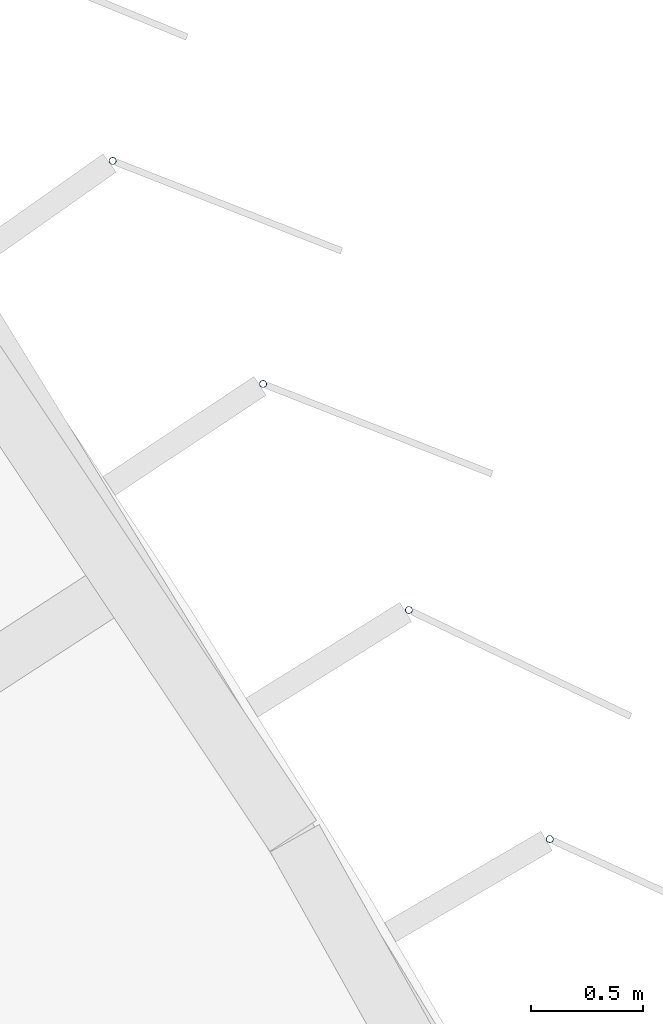
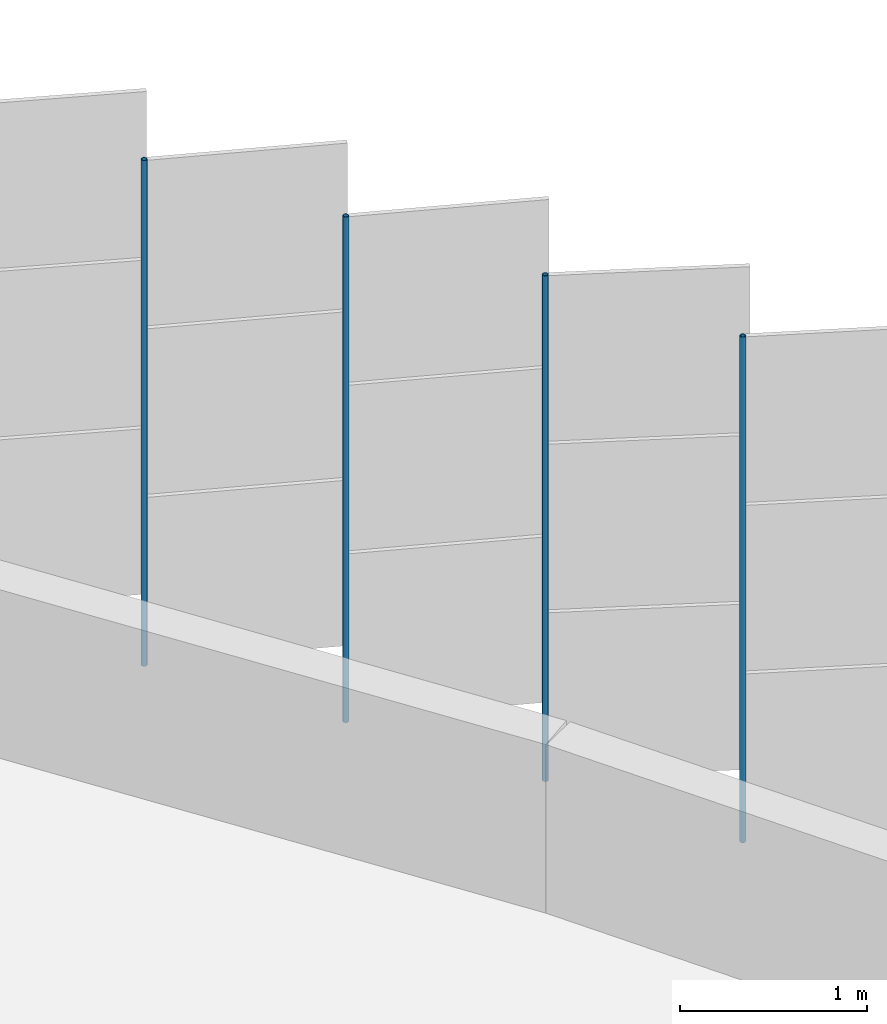
# One storey, part 131 of 199: 4 discrete accessories.
"""IFC4 building model written with IfcOpenShell, lengths in metres."""

from ifc_helpers import new_model, si_unit, direction, frame, origin, origin_2d, place, context, subcontext, project, spatial, hollow_circle, extrude, material, material_profile, profile_set, type_object, element, save


model = new_model("IFC4")

# Units and contexts
model_context = context("Model", 3, precision=1e-05, world=origin(), true_north=direction((0.0, 1.0)))
body_context = subcontext(model_context, "Body", "Model", "MODEL_VIEW")
ifc_project = project(units=[si_unit("LENGTHUNIT", "METRE"), si_unit("AREAUNIT", "SQUARE_METRE"), si_unit("VOLUMEUNIT", "CUBIC_METRE"), si_unit("PLANEANGLEUNIT", "RADIAN"), si_unit("MASSUNIT", "GRAM", prefix="KILO")], contexts=[model_context])

# Site, building, storey
site_placement = place(None, origin())
site = spatial("IfcSite", under=ifc_project, at=site_placement, CompositionType="ELEMENT")
building_placement = place(site_placement, origin())
building = spatial("IfcBuilding", under=site, at=building_placement, Name="Parallax Yard Mobility Hub", CompositionType="ELEMENT")
storey_placement = place(building_placement, frame((0.0, 0.0, 9.89990234375)))
storey = spatial("IfcBuildingStorey", under=building, at=storey_placement, Name="L03", CompositionType="ELEMENT", Elevation=9.89990234375)

# Discrete accessories
ifc_material = material(Name="Steel ASTM A500 Gr C, hot-dip galvanised", Category="steel")
ifc_material_profile = material_profile(ifc_material, hollow_circle(Radius=0.016845703125, WallThickness=0.003173828125, at=origin_2d()), Name="CHS 33.7x3.2")
ifc_profile_set = profile_set([ifc_material_profile], Name="Steel ASTM A500 Gr C, hot-dip galvanised")
discrete_accessory_type = type_object("IfcDiscreteAccessoryType", Name="Hinge post CHS 33.7x3.2", PredefinedType="BRACKET", material=ifc_profile_set)
for number, where, z_axis, x_axis, name in (
    (1, (218.2763671875, 117.34375, 0.0), (0.0, 0.0, 1.0), (1.0, 0.0, 0.0), "Hinge post bay 44.4 level L03"),
    (2, (217.647705078125, 118.365478515625, 0.0), (0.0, 0.0, 1.0), (1.0, 0.0, 0.0), "Hinge post bay 44.5 level L03"),
    (3, (216.997802734375, 119.373779296875, 0.0), (0.0, 0.0, 1.0), (1.0, 0.0, 0.0), "Hinge post bay 44.6 level L03"),
    (4, (216.3271484375, 120.368408203125, 0.0), (0.0, 0.0, 1.0), (1.0, 0.0, 0.0), "Hinge post bay 44.7 level L03"),
):
    element("IfcDiscreteAccessory", number, at=place(storey_placement, frame(where, z_axis=z_axis, x_axis=x_axis)), inside=storey, type_object=discrete_accessory_type, Name=name, PredefinedType="BRACKET", context=body_context, shape_type="SweptSolid", body=[
        extrude(hollow_circle(Radius=0.016845703125, WallThickness=0.003173828125, at=origin_2d()), origin(), (0.0, 0.0, 1.0), 3.300048828125),
    ])

save(model, "model.ifc")
